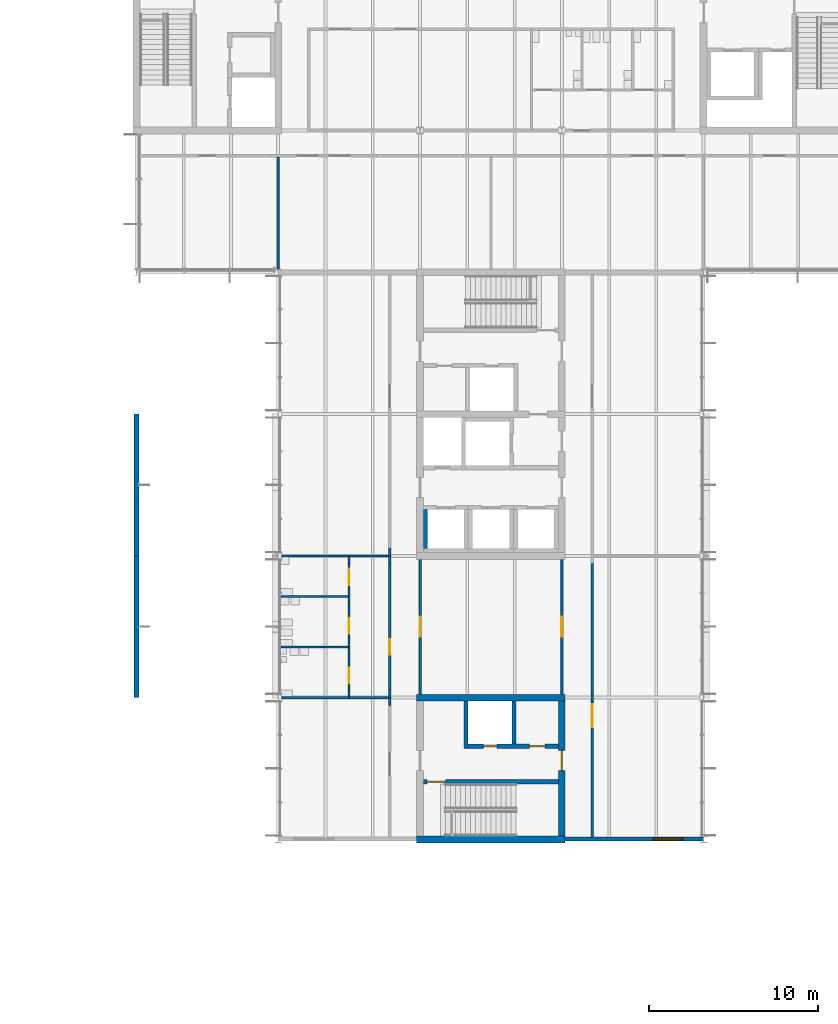
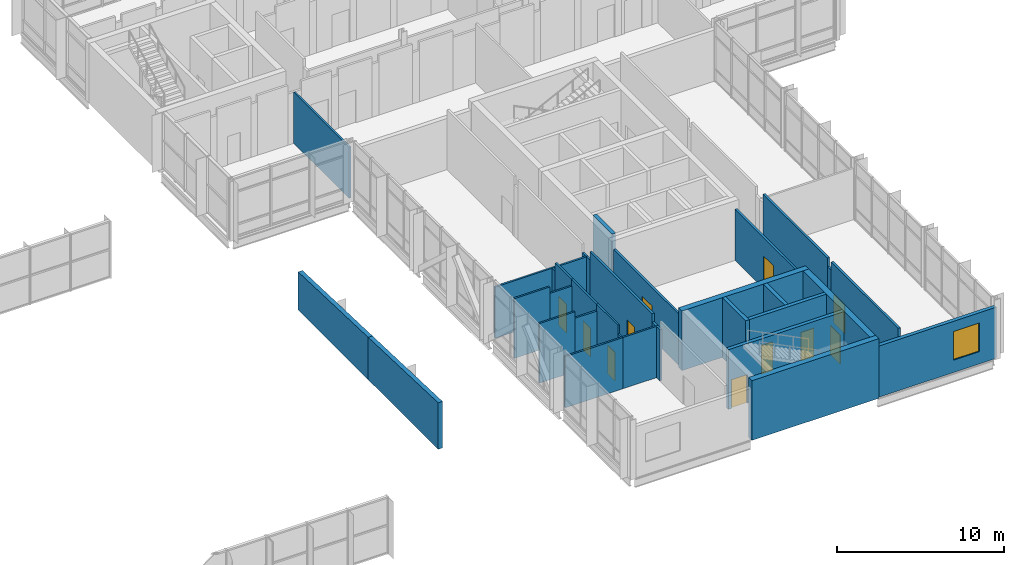
# One storey, part 44 of 72: 35 walls, 11 doors, 1 window, 12 openings.
"""IFC4 building model written with IfcOpenShell, lengths in metres."""

from ifc_helpers import new_model, si_unit, direction, frame, frame_2d, origin, place, context, subcontext, project, spatial, polyline, rectangle, outline, extrude, material, layer, layer_set, type_object, element, fill, save


model = new_model("IFC4")

# Units and contexts
model_context = context("Model", 3, precision=1e-05, world=origin(), true_north=direction((0.0, 1.0)))
body_context = subcontext(model_context, "Body", "Model", "MODEL_VIEW")
ifc_project = project(units=[si_unit("LENGTHUNIT", "METRE"), si_unit("AREAUNIT", "SQUARE_METRE"), si_unit("VOLUMEUNIT", "CUBIC_METRE"), si_unit("PLANEANGLEUNIT", "RADIAN"), si_unit("MASSUNIT", "GRAM", prefix="KILO")], contexts=[model_context])

# Site, building, storey
site_placement = place(None, origin())
site = spatial("IfcSite", under=ifc_project, at=site_placement, CompositionType="ELEMENT")
building_placement = place(site_placement, origin())
building = spatial("IfcBuilding", under=site, at=building_placement, Name="Hlaing Beacon Police Headquarters", CompositionType="ELEMENT")
storey_placement = place(building_placement, frame((0.0, 0.0, 14.39990234375)))
storey = spatial("IfcBuildingStorey", under=building, at=storey_placement, Name="L03", CompositionType="ELEMENT", Elevation=14.39990234375)

# Walls
ifc_material_1 = material(Name="Concrete C60/75", Category="concrete")
ifc_layer_1 = layer(ifc_material_1, 0.39990234375)
ifc_layer_set_1 = layer_set([ifc_layer_1], Name="Concrete C60/75")
wall_type_1 = type_object("IfcWallType", Name="Core shear wall 400", PredefinedType="SHEAR", material=ifc_layer_set_1)
for number, where, z_axis, x_axis, name in (
    (1, (109.0, 33.60009765625, 0.0), (0.0, 0.0, 1.0), (1.0, 0.0, 0.0), "Core shear wall"),
    (2, (109.0, 42.0, 0.0), (0.0, 0.0, 1.0), (1.0, 0.0, 0.0), "Core shear wall"),
):
    element("IfcWall", number, at=place(storey_placement, frame(where, z_axis=z_axis, x_axis=x_axis)), inside=storey, type_object=wall_type_1, Name=name, PredefinedType="SHEAR", context=body_context, shape_type="SweptSolid", body=[
        extrude(rectangle(XDim=8.800048828125, YDim=0.39990234375, at=frame_2d((4.39990234375, 0.0))), origin(), (0.0, 0.0, 1.0), 4.3701171875),
    ])

# Wall, opening, door
wall_1_placement = place(storey_placement, frame((117.60009765625, 33.800048828125, 0.0), z_axis=(0.0, 0.0, 1.0), x_axis=(0.0, 1.0, 0.0)))
wall_1 = element("IfcWall", 3, at=wall_1_placement, inside=storey, type_object=wall_type_1, Name="Core shear wall", PredefinedType="SHEAR", context=body_context, shape_type="SweptSolid", body=[
    extrude(rectangle(XDim=8.0, YDim=0.39990234375, at=frame_2d((4.0, 0.0))), origin(), (0.0, 0.0, 1.0), 4.3701171875),
])
opening_1_placement = place(wall_1_placement, frame((3.875, 0.0, 0.0)))
opening_1 = element("IfcOpeningElement", 4, at=opening_1_placement, cuts=wall_1, Name="Opening L03-919", PredefinedType="OPENING", context=body_context, shape_type="SweptSolid", body=[
    extrude(rectangle(XDim=1.199951171875, YDim=2.10009765625, at=frame_2d((0.60009765625, 1.050048828125))), frame((0.0, 0.2099609375, 0.0), z_axis=(0.0, -1.0, 0.0), x_axis=(1.0, 0.0, 0.0)), (0.0, 0.0, 1.0), 0.419921875),
])
ifc_material_2 = material(Name="Steel fire door leaf", Category="steel")
ifc_layer_2 = layer(ifc_material_2, 0.070068359375)
ifc_layer_set_2 = layer_set([ifc_layer_2], Name="Steel fire door leaf")
door_type_1 = type_object("IfcDoorType", Name="Steel fire door FD60S 1200x2100", OperationType="SINGLE_SWING_LEFT", PredefinedType="DOOR", material=ifc_layer_set_2)
door_1_placement = place(opening_1_placement, origin())
door_1 = element("IfcDoor", 5, at=door_1_placement, inside=storey, type_object=door_type_1, Name="Door Stair Lobby ST-L Entry", OperationType="SINGLE_SWING_LEFT", OverallHeight=2.10009765625, OverallWidth=1.199951171875, PredefinedType="DOOR", context=body_context, shape_type="SweptSolid", body=[
    extrude(rectangle(XDim=1.199951171875, YDim=2.10009765625, at=frame_2d((0.60009765625, 1.050048828125))), frame((0.0, 0.03515625, 0.0), z_axis=(0.0, -1.0, 0.0), x_axis=(1.0, 0.0, 0.0)), (0.0, 0.0, 1.0), 0.070068359375),
])
fill(opening_1, door_1)

ifc_material_3 = material(Name="Gypsum board partition")
ifc_layer_3 = layer(ifc_material_3, 0.14990234375)
ifc_layer_set_3 = layer_set([ifc_layer_3], Name="Gypsum board partition")
wall_type_2 = type_object("IfcWallType", Name="Corridor wall EI 30 150", PredefinedType="PARTITIONING", material=ifc_layer_set_3)
wall_2_placement = place(storey_placement, frame((119.39990234375, 33.75, 0.0), z_axis=(0.0, 0.0, 1.0), x_axis=(0.0, 1.0, 0.0)))
wall_2 = element("IfcWall", 6, at=wall_2_placement, inside=storey, type_object=wall_type_2, Name="Corridor wall EI 30 150", PredefinedType="PARTITIONING", context=body_context, shape_type="SweptSolid", body=[
    extrude(rectangle(XDim=8.02001953125, YDim=0.14990234375, at=frame_2d((4.010009765625, 0.0))), origin(), (0.0, 0.0, 1.0), 4.3701171875),
])
opening_2_placement = place(wall_2_placement, frame((6.5, 0.0, 0.0)))
opening_2 = element("IfcOpeningElement", 7, at=opening_2_placement, cuts=wall_2, Name="Opening L03-013", PredefinedType="OPENING", context=body_context, shape_type="SweptSolid", body=[
    extrude(rectangle(XDim=1.35009765625, YDim=2.10009765625, at=frame_2d((0.675048828125, 1.050048828125))), frame((0.0, 0.0849609375, 0.0), z_axis=(0.0, -1.0, 0.0), x_axis=(1.0, 0.0, 0.0)), (0.0, 0.0, 1.0), 0.169921875),
])
ifc_material_4 = material(Name="Hardwood door leaf", Category="wood")
ifc_layer_4 = layer(ifc_material_4, 0.050048828125)
ifc_layer_set_4 = layer_set([ifc_layer_4], Name="Hardwood door leaf")
door_type_2 = type_object("IfcDoorType", Name="Fire leaf-and-a-half door FD30S 1350x2100", OperationType="DOUBLE_DOOR_SINGLE_SWING", PredefinedType="DOOR", material=ifc_layer_set_4)
door_2_placement = place(opening_2_placement, frame((1.35009765625, 0.0, 0.0), z_axis=(0.0, 0.0, 1.0), x_axis=(-1.0, 0.0, 0.0)))
door_2 = element("IfcDoor", 8, at=door_2_placement, inside=storey, type_object=door_type_2, Name="Door Homicide Investigation Room", OperationType="DOUBLE_DOOR_SINGLE_SWING", OverallHeight=2.10009765625, OverallWidth=1.35009765625, PredefinedType="DOOR", context=body_context, shape_type="SweptSolid", body=[
    extrude(rectangle(XDim=1.35009765625, YDim=2.10009765625, at=frame_2d((0.675048828125, 1.050048828125))), frame((0.0, 0.025146484375, 0.0), z_axis=(0.0, -1.0, 0.0), x_axis=(1.0, 0.0, 0.0)), (0.0, 0.0, 1.0), 0.050048828125),
])
fill(opening_2, door_2)

# Walls
wall_3_placement = place(storey_placement, frame((119.39990234375, 41.77001953125, 0.0), z_axis=(0.0, 0.0, 1.0), x_axis=(0.0, 1.0, 0.0)))
element("IfcWall", 9, at=wall_3_placement, inside=storey, type_object=wall_type_2, Name="Corridor wall EI 30 150", PredefinedType="PARTITIONING", context=body_context, shape_type="SweptSolid", body=[
    extrude(rectangle(XDim=0.4599609375, YDim=0.14990234375, at=frame_2d((0.22998046875, 0.0))), origin(), (0.0, 0.0, 1.0), 3.74609375),
])
wall_4_placement = place(storey_placement, frame((119.39990234375, 42.22998046875, 0.0), z_axis=(0.0, 0.0, 1.0), x_axis=(0.0, 1.0, 0.0)))
element("IfcWall", 10, at=wall_4_placement, inside=storey, type_object=wall_type_2, Name="Corridor wall EI 30 150", PredefinedType="PARTITIONING", context=body_context, shape_type="SweptSolid", body=[
    extrude(rectangle(XDim=7.7099609375, YDim=0.14990234375, at=frame_2d((3.85498046875, 0.0))), origin(), (0.0, 0.0, 1.0), 4.3701171875),
])

# Wall, opening, door
wall_5_placement = place(storey_placement, frame((117.60009765625, 42.199951171875, 0.0), z_axis=(0.0, 0.0, 1.0), x_axis=(0.0, 1.0, 0.0)))
wall_5 = element("IfcWall", 11, at=wall_5_placement, inside=storey, type_object=wall_type_2, Name="Corridor wall EI 30 150", PredefinedType="PARTITIONING", context=body_context, shape_type="SweptSolid", body=[
    extrude(rectangle(XDim=8.0, YDim=0.14990234375, at=frame_2d((4.0, 0.0))), origin(), (0.0, 0.0, 1.0), 3.74609375),
])
opening_3_placement = place(wall_5_placement, frame((3.39990234375, 0.0, 0.0)))
opening_3 = element("IfcOpeningElement", 12, at=opening_3_placement, cuts=wall_5, Name="Opening L03-015", PredefinedType="OPENING", context=body_context, shape_type="SweptSolid", body=[
    extrude(rectangle(XDim=1.199951171875, YDim=2.39990234375, at=frame_2d((0.60009765625, 1.199951171875))), frame((0.0, 0.0849609375, 0.0), z_axis=(0.0, -1.0, 0.0), x_axis=(1.0, 0.0, 0.0)), (0.0, 0.0, 1.0), 0.169921875),
])
ifc_material_5 = material(Name="Hardwood door leaf", Category="wood")
ifc_layer_5 = layer(ifc_material_5, 0.050048828125)
ifc_layer_set_5 = layer_set([ifc_layer_5], Name="Hardwood door leaf")
door_type_3 = type_object("IfcDoorType", Name="Fire public door FD30S 1200x2400", OperationType="SINGLE_SWING_LEFT", PredefinedType="DOOR", material=ifc_layer_set_5)
door_3_placement = place(opening_3_placement, frame((1.199951171875, 0.0, 0.0), z_axis=(0.0, 0.0, 1.0), x_axis=(-1.0, 0.0, 0.0)))
door_3 = element("IfcDoor", 13, at=door_3_placement, inside=storey, type_object=door_type_3, Name="Door Major Incident Briefing Room", OperationType="SINGLE_SWING_LEFT", OverallHeight=2.39990234375, OverallWidth=1.199951171875, PredefinedType="DOOR", context=body_context, shape_type="SweptSolid", body=[
    extrude(rectangle(XDim=1.199951171875, YDim=2.39990234375, at=frame_2d((0.599853515625, 1.199951171875))), frame((0.0, 0.025146484375, 0.0), z_axis=(0.0, -1.0, 0.0), x_axis=(1.0, 0.0, 0.0)), (0.0, 0.0, 1.0), 0.050048828125),
])
fill(opening_3, door_3)

wall_6_placement = place(storey_placement, frame((109.199951171875, 42.199951171875, 0.0), z_axis=(0.0, 0.0, 1.0), x_axis=(0.0, 1.0, 0.0)))
wall_6 = element("IfcWall", 14, at=wall_6_placement, inside=storey, type_object=wall_type_2, Name="Corridor wall EI 30 150", PredefinedType="PARTITIONING", context=body_context, shape_type="SweptSolid", body=[
    extrude(rectangle(XDim=8.0, YDim=0.14990234375, at=frame_2d((4.0, 0.0))), origin(), (0.0, 0.0, 1.0), 3.74609375),
])
opening_4_placement = place(wall_6_placement, frame((3.39990234375, 0.0, 0.0)))
opening_4 = element("IfcOpeningElement", 15, at=opening_4_placement, cuts=wall_6, Name="Opening L03-016", PredefinedType="OPENING", context=body_context, shape_type="SweptSolid", body=[
    extrude(rectangle(XDim=1.199951171875, YDim=2.39990234375, at=frame_2d((0.60009765625, 1.199951171875))), frame((0.0, 0.0849609375, 0.0), z_axis=(0.0, -1.0, 0.0), x_axis=(1.0, 0.0, 0.0)), (0.0, 0.0, 1.0), 0.169921875),
])
door_4_placement = place(opening_4_placement, origin())
door_4 = element("IfcDoor", 16, at=door_4_placement, inside=storey, type_object=door_type_3, Name="Door Major Incident Briefing Room", OperationType="SINGLE_SWING_RIGHT", OverallHeight=2.39990234375, OverallWidth=1.199951171875, PredefinedType="DOOR", context=body_context, shape_type="SweptSolid", body=[
    extrude(rectangle(XDim=1.199951171875, YDim=2.39990234375, at=frame_2d((0.60009765625, 1.199951171875))), frame((0.0, 0.02490234375, 0.0), z_axis=(0.0, -1.0, 0.0), x_axis=(1.0, 0.0, 0.0)), (0.0, 0.0, 1.0), 0.050048828125),
])
fill(opening_4, door_4)

# Walls
for number, where, z_axis, x_axis, name in (
    (17, (107.39990234375, 41.5400390625, 0.0), (0.0, 0.0, 1.0), (0.0, 1.0, 0.0), "Corridor wall EI 30 150"),
    (18, (107.39990234375, 42.0, 0.0), (0.0, 0.0, 1.0), (0.0, 1.0, 0.0), "Corridor wall EI 30 150"),
):
    element("IfcWall", number, at=place(storey_placement, frame(where, z_axis=z_axis, x_axis=x_axis)), inside=storey, type_object=wall_type_2, Name=name, PredefinedType="PARTITIONING", context=body_context, shape_type="SweptSolid", body=[
        extrude(rectangle(XDim=0.4599609375, YDim=0.14990234375, at=frame_2d((0.22998046875, 0.0))), origin(), (0.0, 0.0, 1.0), 3.74609375),
    ])

# Wall, opening, door
wall_7_placement = place(storey_placement, frame((107.39990234375, 42.4599609375, 0.0), z_axis=(0.0, 0.0, 1.0), x_axis=(0.0, 1.0, 0.0)))
wall_7 = element("IfcWall", 19, at=wall_7_placement, inside=storey, type_object=wall_type_2, Name="Corridor wall EI 30 150", PredefinedType="PARTITIONING", context=body_context, shape_type="SweptSolid", body=[
    extrude(rectangle(XDim=7.47998046875, YDim=0.14990234375, at=frame_2d((3.739990234375, 0.0))), origin(), (0.0, 0.0, 1.0), 4.3701171875),
])
opening_5_placement = place(wall_7_placement, frame((2.090087890625, 0.0, 0.0)))
opening_5 = element("IfcOpeningElement", 20, at=opening_5_placement, cuts=wall_7, Name="Opening L03-020", PredefinedType="OPENING", context=body_context, shape_type="SweptSolid", body=[
    extrude(rectangle(XDim=0.89990234375, YDim=2.10009765625, at=frame_2d((0.449951171875, 1.050048828125))), frame((0.0, 0.0849609375, 0.0), z_axis=(0.0, -1.0, 0.0), x_axis=(1.0, 0.0, 0.0)), (0.0, 0.0, 1.0), 0.169921875),
])
ifc_material_6 = material(Name="Hardwood door leaf", Category="wood")
ifc_layer_6 = layer(ifc_material_6, 0.050048828125)
ifc_layer_set_6 = layer_set([ifc_layer_6], Name="Hardwood door leaf")
door_type_4 = type_object("IfcDoorType", Name="Fire door FD30S 900x2100", OperationType="SINGLE_SWING_LEFT", PredefinedType="DOOR", material=ifc_layer_set_6)
door_5_placement = place(opening_5_placement, origin())
door_5 = element("IfcDoor", 21, at=door_5_placement, inside=storey, type_object=door_type_4, Name="Door WC Lobby", OperationType="SINGLE_SWING_RIGHT", OverallHeight=2.10009765625, OverallWidth=0.89990234375, PredefinedType="DOOR", context=body_context, shape_type="SweptSolid", body=[
    extrude(rectangle(XDim=0.89990234375, YDim=2.10009765625, at=frame_2d((0.449951171875, 1.050048828125))), frame((0.0, 0.02490234375, 0.0), z_axis=(0.0, -1.0, 0.0), x_axis=(1.0, 0.0, 0.0)), (0.0, 0.0, 1.0), 0.050048828125),
])
fill(opening_5, door_5)

# Walls
wall_8_placement = place(storey_placement, frame((107.39990234375, 49.93994140625, 0.0), z_axis=(0.0, 0.0, 1.0), x_axis=(0.0, 1.0, 0.0)))
element("IfcWall", 22, at=wall_8_placement, inside=storey, type_object=wall_type_2, Name="Corridor wall EI 30 150", PredefinedType="PARTITIONING", context=body_context, shape_type="SweptSolid", body=[
    extrude(rectangle(XDim=0.4599609375, YDim=0.14990234375, at=frame_2d((0.22998046875, 0.0))), origin(), (0.0, 0.0, 1.0), 3.74609375),
])
wall_9_placement = place(storey_placement, frame((107.39990234375, 50.39990234375, 0.0), z_axis=(0.0, 0.0, 1.0), x_axis=(0.0, 1.0, 0.0)))
element("IfcWall", 23, at=wall_9_placement, inside=storey, type_object=wall_type_2, Name="Corridor wall EI 30 150", PredefinedType="PARTITIONING", context=body_context, shape_type="SweptSolid", body=[
    extrude(rectangle(XDim=0.460205078125, YDim=0.14990234375, at=frame_2d((0.22998046875, 0.0))), origin(), (0.0, 0.0, 1.0), 3.74609375),
])
ifc_material_7 = material(Name="Gypsum board partition")
ifc_layer_7 = layer(ifc_material_7, 0.125)
ifc_layer_set_7 = layer_set([ifc_layer_7], Name="Gypsum board partition")
wall_type_3 = type_object("IfcWallType", Name="Partition 125", PredefinedType="PARTITIONING", material=ifc_layer_set_7)
wall_10_placement = place(storey_placement, frame((105.0, 42.0, 0.0), z_axis=(0.0, 0.0, 1.0), x_axis=(1.0, 0.0, 0.0)))
element("IfcWall", 24, at=wall_10_placement, inside=storey, type_object=wall_type_3, Name="Partition 125", PredefinedType="PARTITIONING", context=body_context, shape_type="SweptSolid", body=[
    extrude(rectangle(XDim=2.324951171875, YDim=0.125, at=frame_2d((1.16259765625, 0.0))), origin(), (0.0, 0.0, 1.0), 3.74609375),
])
wall_11_placement = place(storey_placement, frame((100.998046875, 42.0, 0.0), z_axis=(0.0, 0.0, 1.0), x_axis=(1.0, 0.0, 0.0)))
element("IfcWall", 25, at=wall_11_placement, inside=storey, type_object=wall_type_3, Name="Partition 125", PredefinedType="PARTITIONING", context=body_context, shape_type="SweptSolid", body=[
    extrude(rectangle(XDim=4.001953125, YDim=0.125, at=frame_2d((2.0009765625, 0.0))), origin(), (0.0, 0.0, 1.0), 3.74609375),
])
wall_12_placement = place(storey_placement, frame((100.949951171875, 48.0, 0.0), z_axis=(0.0, 0.0, 1.0), x_axis=(1.0, 0.0, 0.0)))
element("IfcWall", 26, at=wall_12_placement, inside=storey, type_object=wall_type_3, Name="Partition 125", PredefinedType="PARTITIONING", context=body_context, shape_type="SweptSolid", body=[
    extrude(rectangle(XDim=2.45703125, YDim=0.125, at=frame_2d((1.228515625, 0.0))), origin(), (0.0, 0.0, 1.0), 4.3701171875),
])
wall_13_placement = place(storey_placement, frame((103.406982421875, 48.0, 0.0), z_axis=(0.0, 0.0, 1.0), x_axis=(1.0, 0.0, 0.0)))
element("IfcWall", 27, at=wall_13_placement, inside=storey, type_object=wall_type_3, Name="Partition 125", PredefinedType="PARTITIONING", context=body_context, shape_type="SweptSolid", body=[
    extrude(rectangle(XDim=1.531005859375, YDim=0.125, at=frame_2d((0.765625, 0.0))), origin(), (0.0, 0.0, 1.0), 3.89501953125),
])

# Wall, opening, door
wall_14_placement = place(storey_placement, frame((105.0, 48.0, 0.0), z_axis=(0.0, 0.0, 1.0), x_axis=(0.0, 1.0, 0.0)))
wall_14 = element("IfcWall", 28, at=wall_14_placement, inside=storey, type_object=wall_type_3, Name="Partition 125", PredefinedType="PARTITIONING", context=body_context, shape_type="SweptSolid", body=[
    extrude(rectangle(XDim=1.951904296875, YDim=0.125, at=frame_2d((0.97607421875, 0.0))), origin(), (0.0, 0.0, 1.0), 4.3701171875),
])
opening_6_placement = place(wall_14_placement, frame((0.64990234375, 0.0, 0.0)))
opening_6 = element("IfcOpeningElement", 29, at=opening_6_placement, cuts=wall_14, Name="Opening L03-018", PredefinedType="OPENING", context=body_context, shape_type="SweptSolid", body=[
    extrude(rectangle(XDim=1.0, YDim=2.10009765625, at=frame_2d((0.5, 1.050048828125))), frame((0.0, 0.072509765625, 0.0), z_axis=(0.0, -1.0, 0.0), x_axis=(1.0, 0.0, 0.0)), (0.0, 0.0, 1.0), 0.14501953125),
])
ifc_material_8 = material(Name="Hardwood door leaf", Category="wood")
ifc_layer_8 = layer(ifc_material_8, 0.0400390625)
ifc_layer_set_8 = layer_set([ifc_layer_8], Name="Hardwood door leaf")
door_type_5 = type_object("IfcDoorType", Name="Door 1000x2100", OperationType="SINGLE_SWING_LEFT", PredefinedType="DOOR", material=ifc_layer_set_8)
door_6_placement = place(opening_6_placement, origin())
door_6 = element("IfcDoor", 30, at=door_6_placement, inside=storey, type_object=door_type_5, Name="Door Accessible WC", OperationType="SINGLE_SWING_RIGHT", OverallHeight=2.10009765625, OverallWidth=1.0, PredefinedType="DOOR", context=body_context, shape_type="SweptSolid", body=[
    extrude(rectangle(XDim=1.0, YDim=2.10009765625, at=frame_2d((0.5, 1.050048828125))), frame((0.0, 0.02001953125, 0.0), z_axis=(0.0, -1.0, 0.0), x_axis=(1.0, 0.0, 0.0)), (0.0, 0.0, 1.0), 0.0400390625),
])
fill(opening_6, door_6)

# Walls
wall_15_placement = place(storey_placement, frame((105.0, 49.951904296875, 0.0), z_axis=(0.0, 0.0, 1.0), x_axis=(0.0, 1.0, 0.0)))
element("IfcWall", 31, at=wall_15_placement, inside=storey, type_object=wall_type_3, Name="Partition 125", PredefinedType="PARTITIONING", context=body_context, shape_type="SweptSolid", body=[
    extrude(rectangle(XDim=0.385009765625, YDim=0.125, at=frame_2d((0.1923828125, 0.0))), origin(), (0.0, 0.0, 1.0), 3.74609375),
])
wall_16_placement = place(storey_placement, frame((100.998046875, 50.39990234375, 0.0), z_axis=(0.0, 0.0, 1.0), x_axis=(1.0, 0.0, 0.0)))
element("IfcWall", 32, at=wall_16_placement, inside=storey, type_object=wall_type_3, Name="Partition 125", PredefinedType="PARTITIONING", context=body_context, shape_type="SweptSolid", body=[
    extrude(rectangle(XDim=4.001953125, YDim=0.125, at=frame_2d((2.0009765625, 0.0))), origin(), (0.0, 0.0, 1.0), 3.74609375),
])

# Wall, opening, door
wall_17_placement = place(storey_placement, frame((105.0, 45.0, 0.0), z_axis=(0.0, 0.0, 1.0), x_axis=(0.0, 1.0, 0.0)))
wall_17 = element("IfcWall", 33, at=wall_17_placement, inside=storey, type_object=wall_type_3, Name="Partition 125", PredefinedType="PARTITIONING", context=body_context, shape_type="SweptSolid", body=[
    extrude(rectangle(XDim=3.0, YDim=0.125, at=frame_2d((1.5, 0.0))), origin(), (0.0, 0.0, 1.0), 4.3701171875),
])
opening_7_placement = place(wall_17_placement, frame((0.800048828125, 0.0, 0.0)))
opening_7 = element("IfcOpeningElement", 34, at=opening_7_placement, cuts=wall_17, Name="Opening L03-019", PredefinedType="OPENING", context=body_context, shape_type="SweptSolid", body=[
    extrude(rectangle(XDim=0.89990234375, YDim=2.10009765625, at=frame_2d((0.449951171875, 1.050048828125))), frame((0.0, 0.072509765625, 0.0), z_axis=(0.0, -1.0, 0.0), x_axis=(1.0, 0.0, 0.0)), (0.0, 0.0, 1.0), 0.14501953125),
])
ifc_material_9 = material(Name="Hardwood door leaf", Category="wood")
ifc_layer_9 = layer(ifc_material_9, 0.0400390625)
ifc_layer_set_9 = layer_set([ifc_layer_9], Name="Hardwood door leaf")
door_type_6 = type_object("IfcDoorType", Name="Door 900x2100", OperationType="SINGLE_SWING_LEFT", PredefinedType="DOOR", material=ifc_layer_set_9)
door_7_placement = place(opening_7_placement, origin())
door_7 = element("IfcDoor", 35, at=door_7_placement, inside=storey, type_object=door_type_6, Name="Door Female WC", OperationType="SINGLE_SWING_RIGHT", OverallHeight=2.10009765625, OverallWidth=0.89990234375, PredefinedType="DOOR", context=body_context, shape_type="SweptSolid", body=[
    extrude(rectangle(XDim=0.89990234375, YDim=2.10009765625, at=frame_2d((0.449951171875, 1.050048828125))), frame((0.0, 0.02001953125, 0.0), z_axis=(0.0, -1.0, 0.0), x_axis=(1.0, 0.0, 0.0)), (0.0, 0.0, 1.0), 0.0400390625),
])
fill(opening_7, door_7)

# Walls
wall_18_placement = place(storey_placement, frame((100.949951171875, 45.0, 0.0), z_axis=(0.0, 0.0, 1.0), x_axis=(1.0, 0.0, 0.0)))
element("IfcWall", 36, at=wall_18_placement, inside=storey, type_object=wall_type_3, Name="Partition 125", PredefinedType="PARTITIONING", context=body_context, shape_type="SweptSolid", body=[
    extrude(rectangle(XDim=2.45703125, YDim=0.125, at=frame_2d((1.228515625, 0.0))), origin(), (0.0, 0.0, 1.0), 4.3701171875),
])
wall_19_placement = place(storey_placement, frame((103.406982421875, 45.0, 0.0), z_axis=(0.0, 0.0, 1.0), x_axis=(1.0, 0.0, 0.0)))
element("IfcWall", 37, at=wall_19_placement, inside=storey, type_object=wall_type_3, Name="Partition 125", PredefinedType="PARTITIONING", context=body_context, shape_type="SweptSolid", body=[
    extrude(rectangle(XDim=1.531005859375, YDim=0.125, at=frame_2d((0.765625, 0.0))), origin(), (0.0, 0.0, 1.0), 3.89501953125),
])
wall_20_placement = place(storey_placement, frame((105.0, 42.06201171875, 0.0), z_axis=(0.0, 0.0, 1.0), x_axis=(0.0, 1.0, 0.0)))
element("IfcWall", 38, at=wall_20_placement, inside=storey, type_object=wall_type_3, Name="Partition 125", PredefinedType="PARTITIONING", context=body_context, shape_type="SweptSolid", body=[
    extrude(rectangle(XDim=0.385009765625, YDim=0.125, at=frame_2d((0.1923828125, 0.0))), origin(), (0.0, 0.0, 1.0), 3.74609375),
])

# Wall, opening, door
wall_21_placement = place(storey_placement, frame((105.0, 42.447021484375, 0.0), z_axis=(0.0, 0.0, 1.0), x_axis=(0.0, 1.0, 0.0)))
wall_21 = element("IfcWall", 39, at=wall_21_placement, inside=storey, type_object=wall_type_3, Name="Partition 125", PredefinedType="PARTITIONING", context=body_context, shape_type="SweptSolid", body=[
    extrude(rectangle(XDim=2.552978515625, YDim=0.125, at=frame_2d((1.2763671875, 0.0))), origin(), (0.0, 0.0, 1.0), 4.3701171875),
])
opening_8_placement = place(wall_21_placement, frame((0.4150390625, 0.0, 0.0)))
opening_8 = element("IfcOpeningElement", 40, at=opening_8_placement, cuts=wall_21, Name="Opening L03-021", PredefinedType="OPENING", context=body_context, shape_type="SweptSolid", body=[
    extrude(rectangle(XDim=0.89990234375, YDim=2.10009765625, at=frame_2d((0.449951171875, 1.050048828125))), frame((0.0, 0.072509765625, 0.0), z_axis=(0.0, -1.0, 0.0), x_axis=(1.0, 0.0, 0.0)), (0.0, 0.0, 1.0), 0.14501953125),
])
door_8_placement = place(opening_8_placement, origin())
door_8 = element("IfcDoor", 41, at=door_8_placement, inside=storey, type_object=door_type_6, Name="Door Male WC", OperationType="SINGLE_SWING_RIGHT", OverallHeight=2.10009765625, OverallWidth=0.89990234375, PredefinedType="DOOR", context=body_context, shape_type="SweptSolid", body=[
    extrude(rectangle(XDim=0.89990234375, YDim=2.10009765625, at=frame_2d((0.449951171875, 1.050048828125))), frame((0.0, 0.02001953125, 0.0), z_axis=(0.0, -1.0, 0.0), x_axis=(1.0, 0.0, 0.0)), (0.0, 0.0, 1.0), 0.0400390625),
])
fill(opening_8, door_8)

# Walls
wall_22_placement = place(storey_placement, frame((105.0, 50.39990234375, 0.0), z_axis=(0.0, 0.0, 1.0), x_axis=(1.0, 0.0, 0.0)))
element("IfcWall", 42, at=wall_22_placement, inside=storey, type_object=wall_type_3, Name="Partition 125", PredefinedType="PARTITIONING", context=body_context, shape_type="SweptSolid", body=[
    extrude(rectangle(XDim=2.324951171875, YDim=0.125, at=frame_2d((1.16259765625, 0.0))), origin(), (0.0, 0.0, 1.0), 3.74609375),
])
wall_23_placement = place(storey_placement, frame((100.800048828125, 67.385986328125, 0.0), z_axis=(0.0, 0.0, 1.0), x_axis=(0.0, 1.0, 0.0)))
element("IfcWall", 43, at=wall_23_placement, inside=storey, type_object=wall_type_3, Name="Partition 125", PredefinedType="PARTITIONING", context=body_context, shape_type="SweptSolid", body=[
    extrude(rectangle(XDim=6.638916015625, YDim=0.125, at=frame_2d((3.3193359375, 0.0))), origin(), (0.0, 0.0, 1.0), 3.74609375),
])

# Wall, opening, window
ifc_material_10 = material(Name="Concrete C40/50 precast ribbed cladding", Category="concrete")
ifc_layer_10 = layer(ifc_material_10, 0.25)
ifc_layer_set_10 = layer_set([ifc_layer_10], Name="Concrete C40/50 precast ribbed cladding")
wall_type_4 = type_object("IfcWallType", Name="Precast ribbed wall 250", PredefinedType="SOLIDWALL", material=ifc_layer_set_10)
wall_24_placement = place(storey_placement, frame((117.800048828125, 33.625, 0.0), z_axis=(0.0, 0.0, 1.0), x_axis=(1.0, 0.0, 0.0)))
wall_24 = element("IfcWall", 44, at=wall_24_placement, inside=storey, type_object=wall_type_4, Name="External wall L03 S025", PredefinedType="SOLIDWALL", context=body_context, shape_type="SweptSolid", body=[
    extrude(rectangle(XDim=8.195068359375, YDim=0.25, at=frame_2d((4.09765625, 0.0))), origin(), (0.0, 0.0, 1.0), 3.74609375),
])
opening_9_placement = place(wall_24_placement, frame((5.199951171875, 0.0, 0.89990234375)))
opening_9 = element("IfcOpeningElement", 45, at=opening_9_placement, cuts=wall_24, Name="Opening WN16", PredefinedType="OPENING", context=body_context, shape_type="SweptSolid", body=[
    extrude(rectangle(XDim=1.800048828125, YDim=2.10009765625, at=frame_2d((0.89990234375, 1.050048828125))), frame((0.0, 0.135009765625, 0.0), z_axis=(0.0, -1.0, 0.0), x_axis=(1.0, 0.0, 0.0)), (0.0, 0.0, 1.0), 0.27001953125),
])
ifc_material_11 = material(Name="Aluminium frame with solar control glazing", Category="aluminium")
window_type = type_object("IfcWindowType", Name="Wide window 1800x2100 frame 80", PartitioningType="SINGLE_PANEL", PredefinedType="WINDOW", material=ifc_material_11)
window_placement = place(opening_9_placement, origin())
window = element("IfcWindow", 46, at=window_placement, inside=storey, type_object=window_type, Name="Window L03 WM", OverallHeight=2.10009765625, OverallWidth=1.800048828125, PartitioningType="SINGLE_PANEL", PredefinedType="WINDOW", context=body_context, shape_type="SweptSolid", body=[
    extrude(rectangle(XDim=1.800048828125, YDim=2.10009765625, at=frame_2d((0.89990234375, 1.050048828125))), frame((0.0, 0.0400390625, 0.0), z_axis=(0.0, -1.0, 0.0), x_axis=(1.0, 0.0, 0.0)), (0.0, 0.0, 1.0), 0.080078125),
])
fill(opening_9, window)

# Walls
ifc_material_12 = material(Name="Concrete C40/50 precast ribbed cladding", Category="concrete")
ifc_layer_11 = layer(ifc_material_12, 0.300048828125)
ifc_layer_set_11 = layer_set([ifc_layer_11], Name="Concrete C40/50 precast ribbed cladding")
wall_type_5 = type_object("IfcWallType", Name="Precast ribbed wall 300", PredefinedType="SOLIDWALL", material=ifc_layer_set_11)
wall_25_placement = place(storey_placement, frame((92.39990234375, 42.0, 0.0), z_axis=(0.0, 0.0, 1.0), x_axis=(0.0, 1.0, 0.0)))
element("IfcWall", 47, at=wall_25_placement, inside=storey, type_object=wall_type_5, Name="External wall L03 E003", PredefinedType="SOLIDWALL", context=body_context, shape_type="SweptSolid", body=[
    extrude(outline(polyline([(0.0, 0.0), (8.39990234375, 0.0), (8.39990234375, 3.10009765625), (0.0, 3.400146484375), (0.0, 0.0)])), frame((0.0, 0.14990234375, 0.0), z_axis=(0.0, -1.0, 0.0), x_axis=(1.0, 0.0, 0.0)), (0.0, 0.0, 1.0), 0.300048828125),
])
wall_26_placement = place(storey_placement, frame((92.39990234375, 50.39990234375, 0.0), z_axis=(0.0, 0.0, 1.0), x_axis=(0.0, 1.0, 0.0)))
element("IfcWall", 48, at=wall_26_placement, inside=storey, type_object=wall_type_5, Name="External wall L03 E004", PredefinedType="SOLIDWALL", context=body_context, shape_type="SweptSolid", body=[
    extrude(outline(polyline([(0.0, 0.0), (8.400146484375, 0.0), (8.39990234375, 2.800048828125), (0.0, 3.10009765625), (0.0, 0.0)])), frame((0.0, 0.14990234375, 0.0), z_axis=(0.0, -1.0, 0.0), x_axis=(1.0, 0.0, 0.0)), (0.0, 0.0, 1.0), 0.300048828125),
])

# Wall, opening, door
ifc_material_13 = material(Name="Concrete C40/50", Category="concrete")
ifc_layer_12 = layer(ifc_material_13, 0.25)
ifc_layer_set_12 = layer_set([ifc_layer_12], Name="Concrete C40/50")
wall_type_6 = type_object("IfcWallType", Name="Shaft wall 250", PredefinedType="SOLIDWALL", material=ifc_layer_set_12)
wall_27_placement = place(storey_placement, frame((109.39990234375, 37.02490234375, 0.0), z_axis=(0.0, 0.0, 1.0), x_axis=(1.0, 0.0, 0.0)))
wall_27 = element("IfcWall", 49, at=wall_27_placement, inside=storey, type_object=wall_type_6, Name="Stair enclosure wall", PredefinedType="SOLIDWALL", context=body_context, shape_type="SweptSolid", body=[
    extrude(rectangle(XDim=8.0, YDim=0.25, at=frame_2d((4.0, 0.0))), origin(), (0.0, 0.0, 1.0), 4.3701171875),
])
opening_10_placement = place(wall_27_placement, frame((0.199951171875, 0.0, 0.0)))
opening_10 = element("IfcOpeningElement", 50, at=opening_10_placement, cuts=wall_27, Name="Opening L03-921", PredefinedType="OPENING", context=body_context, shape_type="SweptSolid", body=[
    extrude(rectangle(XDim=1.10009765625, YDim=2.10009765625, at=frame_2d((0.550048828125, 1.050048828125))), frame((0.0, 0.135009765625, 0.0), z_axis=(0.0, -1.0, 0.0), x_axis=(1.0, 0.0, 0.0)), (0.0, 0.0, 1.0), 0.27001953125),
])
ifc_material_14 = material(Name="Steel fire door leaf", Category="steel")
ifc_layer_13 = layer(ifc_material_14, 0.070068359375)
ifc_layer_set_13 = layer_set([ifc_layer_13], Name="Steel fire door leaf")
door_type_7 = type_object("IfcDoorType", Name="Steel fire door FD60 1100x2100", OperationType="SINGLE_SWING_LEFT", PredefinedType="DOOR", material=ifc_layer_set_13)
door_9_placement = place(opening_10_placement, frame((1.10009765625, 0.0, 0.0), z_axis=(0.0, 0.0, 1.0), x_axis=(-1.0, 0.0, 0.0)))
door_9 = element("IfcDoor", 51, at=door_9_placement, inside=storey, type_object=door_type_7, Name="Door Stair ST-L", OperationType="SINGLE_SWING_LEFT", OverallHeight=2.10009765625, OverallWidth=1.10009765625, PredefinedType="DOOR", context=body_context, shape_type="SweptSolid", body=[
    extrude(rectangle(XDim=1.10009765625, YDim=2.10009765625, at=frame_2d((0.550048828125, 1.050048828125))), frame((0.0, 0.034912109375, 0.0), z_axis=(0.0, -1.0, 0.0), x_axis=(1.0, 0.0, 0.0)), (0.0, 0.0, 1.0), 0.070068359375),
])
fill(opening_10, door_9)

# Wall
wall_28_placement = place(storey_placement, frame((111.925048828125, 39.0, 0.0), z_axis=(0.0, 0.0, 1.0), x_axis=(0.0, 1.0, 0.0)))
element("IfcWall", 52, at=wall_28_placement, inside=storey, type_object=wall_type_6, Name="Lobby wall", PredefinedType="SOLIDWALL", context=body_context, shape_type="SweptSolid", body=[
    extrude(rectangle(XDim=2.800048828125, YDim=0.25, at=frame_2d((1.39990234375, 0.0))), origin(), (0.0, 0.0, 1.0), 4.3701171875),
])

# Wall, openings, doors
wall_29_placement = place(storey_placement, frame((112.050048828125, 39.125, 0.0), z_axis=(0.0, 0.0, 1.0), x_axis=(1.0, 0.0, 0.0)))
wall_29 = element("IfcWall", 53, at=wall_29_placement, inside=storey, type_object=wall_type_6, Name="Lobby wall", PredefinedType="SOLIDWALL", context=body_context, shape_type="SweptSolid", body=[
    extrude(rectangle(XDim=5.349853515625, YDim=0.25, at=frame_2d((2.6748046875, 0.0))), origin(), (0.0, 0.0, 1.0), 4.3701171875),
])
opening_11_placement = place(wall_29_placement, frame((3.64990234375, 0.0, 0.0)))
opening_11 = element("IfcOpeningElement", 54, at=opening_11_placement, cuts=wall_29, Name="Opening L03-917", PredefinedType="OPENING", context=body_context, shape_type="SweptSolid", body=[
    extrude(rectangle(XDim=0.89990234375, YDim=2.10009765625, at=frame_2d((0.449951171875, 1.050048828125))), frame((0.0, 0.135009765625, 0.0), z_axis=(0.0, -1.0, 0.0), x_axis=(1.0, 0.0, 0.0)), (0.0, 0.0, 1.0), 0.27001953125),
])
opening_12_placement = place(wall_29_placement, frame((0.89990234375, 0.0, 0.0)))
opening_12 = element("IfcOpeningElement", 55, at=opening_12_placement, cuts=wall_29, Name="Opening L03-920", PredefinedType="OPENING", context=body_context, shape_type="SweptSolid", body=[
    extrude(rectangle(XDim=0.800048828125, YDim=2.10009765625, at=frame_2d((0.39990234375, 1.050048828125))), frame((0.0, 0.135009765625, 0.0), z_axis=(0.0, -1.0, 0.0), x_axis=(1.0, 0.0, 0.0)), (0.0, 0.0, 1.0), 0.27001953125),
])
ifc_material_15 = material(Name="Steel fire door leaf", Category="steel")
ifc_layer_14 = layer(ifc_material_15, 0.070068359375)
ifc_layer_set_14 = layer_set([ifc_layer_14], Name="Steel fire door leaf")
door_type_8 = type_object("IfcDoorType", Name="Steel fire door FD60 800x2100", OperationType="SINGLE_SWING_LEFT", PredefinedType="DOOR", material=ifc_layer_set_14)
door_10_placement = place(opening_12_placement, origin())
door_10 = element("IfcDoor", 56, at=door_10_placement, inside=storey, type_object=door_type_8, Name="Door Services Riser", OperationType="SINGLE_SWING_RIGHT", OverallHeight=2.10009765625, OverallWidth=0.800048828125, PredefinedType="DOOR", context=body_context, shape_type="SweptSolid", body=[
    extrude(rectangle(XDim=0.800048828125, YDim=2.10009765625, at=frame_2d((0.39990234375, 1.050048828125))), frame((0.0, 0.03515625, 0.0), z_axis=(0.0, -1.0, 0.0), x_axis=(1.0, 0.0, 0.0)), (0.0, 0.0, 1.0), 0.070068359375),
])
fill(opening_12, door_10)
ifc_material_16 = material(Name="Steel fire door leaf", Category="steel")
ifc_layer_15 = layer(ifc_material_16, 0.070068359375)
ifc_layer_set_15 = layer_set([ifc_layer_15], Name="Steel fire door leaf")
door_type_9 = type_object("IfcDoorType", Name="Steel fire door FD60 900x2100", OperationType="SINGLE_SWING_LEFT", PredefinedType="DOOR", material=ifc_layer_set_15)
door_11_placement = place(opening_11_placement, origin())
door_11 = element("IfcDoor", 57, at=door_11_placement, inside=storey, type_object=door_type_9, Name="Door Cleaners' Store", OperationType="SINGLE_SWING_LEFT", OverallHeight=2.10009765625, OverallWidth=0.89990234375, PredefinedType="DOOR", context=body_context, shape_type="SweptSolid", body=[
    extrude(rectangle(XDim=0.89990234375, YDim=2.10009765625, at=frame_2d((0.449951171875, 1.050048828125))), frame((0.0, 0.03515625, 0.0), z_axis=(0.0, -1.0, 0.0), x_axis=(1.0, 0.0, 0.0)), (0.0, 0.0, 1.0), 0.070068359375),
])
fill(opening_11, door_11)

# Walls
wall_30_placement = place(storey_placement, frame((114.77490234375, 39.25, 0.0), z_axis=(0.0, 0.0, 1.0), x_axis=(0.0, 1.0, 0.0)))
element("IfcWall", 58, at=wall_30_placement, inside=storey, type_object=wall_type_6, Name="Riser wall", PredefinedType="SOLIDWALL", context=body_context, shape_type="SweptSolid", body=[
    extrude(rectangle(XDim=2.550048828125, YDim=0.25, at=frame_2d((1.27490234375, 0.0))), origin(), (0.0, 0.0, 1.0), 4.3701171875),
])
wall_31_placement = place(storey_placement, frame((109.52490234375, 50.85009765625, 0.0), z_axis=(0.0, 0.0, 1.0), x_axis=(0.0, 1.0, 0.0)))
element("IfcWall", 59, at=wall_31_placement, inside=storey, type_object=wall_type_6, Name="Lift shaft wall PL7", PredefinedType="SOLIDWALL", context=body_context, shape_type="SweptSolid", body=[
    extrude(rectangle(XDim=2.2998046875, YDim=0.25, at=frame_2d((1.14990234375, 0.0))), origin(), (0.0, 0.0, 1.0), 4.3701171875),
])

save(model, "model.ifc")
